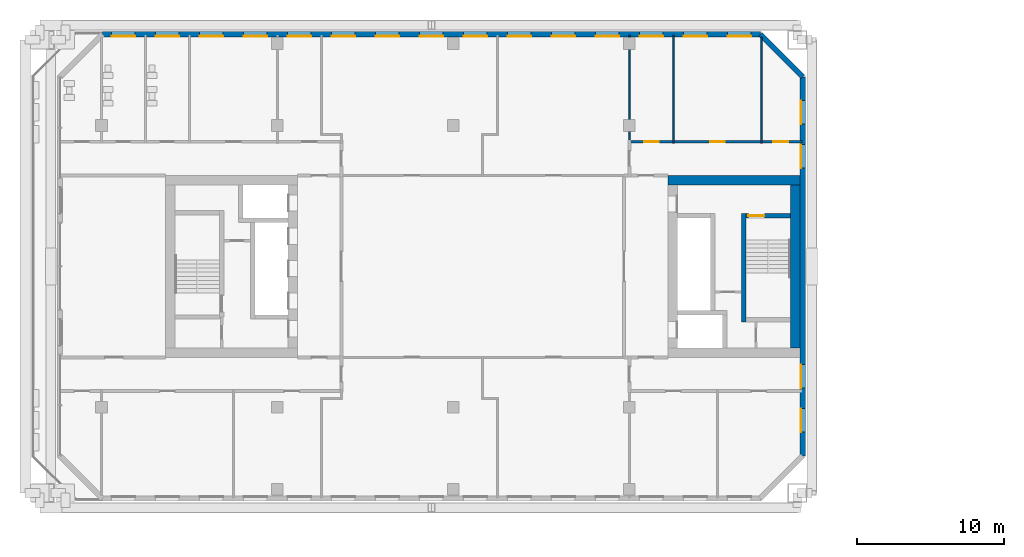
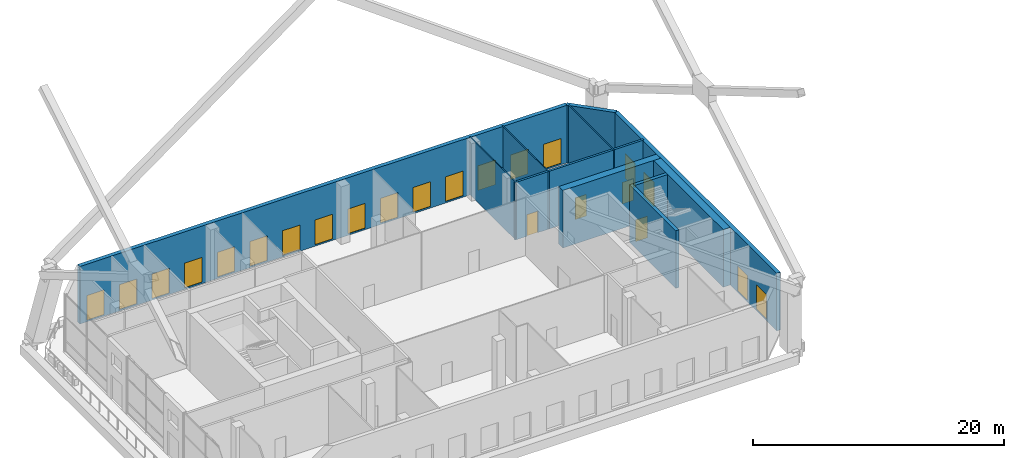
# One storey, part 12 of 20: 19 windows, 11 walls, 4 doors, 23 openings.
"""IFC4 building model written with IfcOpenShell, lengths in metres."""

from ifc_helpers import new_model, si_unit, direction, frame, frame_2d, origin, place, context, subcontext, project, spatial, rectangle, extrude, material, layer, layer_set, type_object, element, fill, save


model = new_model("IFC4")

# Units and contexts
model_context = context("Model", 3, precision=1e-05, world=origin(), true_north=direction((0.0, 1.0)))
body_context = subcontext(model_context, "Body", "Model", "MODEL_VIEW")
ifc_project = project(units=[si_unit("LENGTHUNIT", "METRE"), si_unit("AREAUNIT", "SQUARE_METRE"), si_unit("VOLUMEUNIT", "CUBIC_METRE"), si_unit("PLANEANGLEUNIT", "RADIAN"), si_unit("MASSUNIT", "GRAM", prefix="KILO")], contexts=[model_context])

# Site, building, storey
site_placement = place(None, origin())
site = spatial("IfcSite", under=ifc_project, at=site_placement, CompositionType="ELEMENT")
building_placement = place(site_placement, origin())
building = spatial("IfcBuilding", under=site, at=building_placement, Name="Tuart Gate Housing", CompositionType="ELEMENT")
storey_placement = place(building_placement, frame((0.0, 0.0, 90.199951171875)))
storey = spatial("IfcBuildingStorey", under=building, at=storey_placement, Name="L25", CompositionType="ELEMENT", Elevation=90.199951171875)

# Wall, openings, windows
ifc_material_1 = material(Name="Brick", Category="masonry")
ifc_layer_1 = layer(ifc_material_1, 0.360107421875)
ifc_layer_set_1 = layer_set([ifc_layer_1], Name="Brick pier and spandrel wall 360")
wall_type_1 = type_object("IfcWallType", Name="Brick pier and spandrel wall 360", PredefinedType="STANDARD", material=ifc_layer_set_1)
wall_1_placement = place(storey_placement, frame((75.820068359375, 57.07470703125, 0.0), z_axis=(0.0, 0.0, 1.0), x_axis=(0.0, 1.0, 0.0)))
wall_1 = element("IfcWall", 1, at=wall_1_placement, inside=storey, type_object=wall_type_1, Name="External wall A-E L25", PredefinedType="STANDARD", context=body_context, shape_type="SweptSolid", body=[
    extrude(rectangle(XDim=25.850830078125, YDim=0.360107421875, at=frame_2d((12.92529296875, 0.0))), origin(), (0.0, 0.0, 1.0), 5.60009765625),
])
opening_1_placement = place(wall_1_placement, frame((1.62548828125, 0.0, 0.14990234375)))
opening_1 = element("IfcOpeningElement", 2, at=opening_1_placement, cuts=wall_1, Name="Opening W2", PredefinedType="OPENING", context=body_context, shape_type="SweptSolid", body=[
    extrude(rectangle(XDim=1.60009765625, YDim=2.39990234375, at=frame_2d((0.800048828125, 1.199951171875))), frame((0.0, 0.18994140625, 0.0), z_axis=(0.0, -1.0, 0.0), x_axis=(1.0, 0.0, 0.0)), (0.0, 0.0, 1.0), 0.380126953125),
])
opening_2_placement = place(wall_1_placement, frame((4.62548828125, 0.0, 0.14990234375)))
opening_2 = element("IfcOpeningElement", 3, at=opening_2_placement, cuts=wall_1, Name="Opening W2", PredefinedType="OPENING", context=body_context, shape_type="SweptSolid", body=[
    extrude(rectangle(XDim=1.60009765625, YDim=2.39990234375, at=frame_2d((0.800048828125, 1.199951171875))), frame((0.0, 0.18994140625, 0.0), z_axis=(0.0, -1.0, 0.0), x_axis=(1.0, 0.0, 0.0)), (0.0, 0.0, 1.0), 0.380126953125),
])
opening_3_placement = place(wall_1_placement, frame((19.62548828125, 0.0, 0.14990234375)))
opening_3 = element("IfcOpeningElement", 4, at=opening_3_placement, cuts=wall_1, Name="Opening W2", PredefinedType="OPENING", context=body_context, shape_type="SweptSolid", body=[
    extrude(rectangle(XDim=1.60009765625, YDim=2.39990234375, at=frame_2d((0.800048828125, 1.199951171875))), frame((0.0, 0.18994140625, 0.0), z_axis=(0.0, -1.0, 0.0), x_axis=(1.0, 0.0, 0.0)), (0.0, 0.0, 1.0), 0.380126953125),
])
opening_4_placement = place(wall_1_placement, frame((22.62548828125, 0.0, 0.14990234375)))
opening_4 = element("IfcOpeningElement", 5, at=opening_4_placement, cuts=wall_1, Name="Opening W2", PredefinedType="OPENING", context=body_context, shape_type="SweptSolid", body=[
    extrude(rectangle(XDim=1.60009765625, YDim=2.39990234375, at=frame_2d((0.800048828125, 1.199951171875))), frame((0.0, 0.18994140625, 0.0), z_axis=(0.0, -1.0, 0.0), x_axis=(1.0, 0.0, 0.0)), (0.0, 0.0, 1.0), 0.380126953125),
])
ifc_material_2 = material(Name="Aluminium frame with clear glass", Category="aluminium")
window_type = type_object("IfcWindowType", Name="Garden lounge window 1600 x 2400", PartitioningType="SINGLE_PANEL", PredefinedType="WINDOW", material=ifc_material_2)
window_1_placement = place(opening_1_placement, origin())
window_1 = element("IfcWindow", 6, at=window_1_placement, inside=storey, type_object=window_type, Name="Window W2", OverallHeight=2.39990234375, OverallWidth=1.60009765625, PartitioningType="SINGLE_PANEL", PredefinedType="WINDOW", context=body_context, shape_type="SweptSolid", body=[
    extrude(rectangle(XDim=1.60009765625, YDim=2.39990234375, at=frame_2d((0.800048828125, 1.199951171875))), frame((0.0, 0.150146484375, 0.0), z_axis=(0.0, -1.0, 0.0), x_axis=(1.0, 0.0, 0.0)), (0.0, 0.0, 1.0), 0.06005859375),
])
fill(opening_1, window_1)
window_2_placement = place(opening_2_placement, origin())
window_2 = element("IfcWindow", 7, at=window_2_placement, inside=storey, type_object=window_type, Name="Window W2", OverallHeight=2.39990234375, OverallWidth=1.60009765625, PartitioningType="SINGLE_PANEL", PredefinedType="WINDOW", context=body_context, shape_type="SweptSolid", body=[
    extrude(rectangle(XDim=1.60009765625, YDim=2.39990234375, at=frame_2d((0.800048828125, 1.199951171875))), frame((0.0, 0.150146484375, 0.0), z_axis=(0.0, -1.0, 0.0), x_axis=(1.0, 0.0, 0.0)), (0.0, 0.0, 1.0), 0.06005859375),
])
fill(opening_2, window_2)
window_3_placement = place(opening_3_placement, origin())
window_3 = element("IfcWindow", 8, at=window_3_placement, inside=storey, type_object=window_type, Name="Window W2", OverallHeight=2.39990234375, OverallWidth=1.60009765625, PartitioningType="SINGLE_PANEL", PredefinedType="WINDOW", context=body_context, shape_type="SweptSolid", body=[
    extrude(rectangle(XDim=1.60009765625, YDim=2.39990234375, at=frame_2d((0.800048828125, 1.199951171875))), frame((0.0, 0.150146484375, 0.0), z_axis=(0.0, -1.0, 0.0), x_axis=(1.0, 0.0, 0.0)), (0.0, 0.0, 1.0), 0.06005859375),
])
fill(opening_3, window_3)
window_4_placement = place(opening_4_placement, origin())
window_4 = element("IfcWindow", 9, at=window_4_placement, inside=storey, type_object=window_type, Name="Window W2", OverallHeight=2.39990234375, OverallWidth=1.60009765625, PartitioningType="SINGLE_PANEL", PredefinedType="WINDOW", context=body_context, shape_type="SweptSolid", body=[
    extrude(rectangle(XDim=1.60009765625, YDim=2.39990234375, at=frame_2d((0.800048828125, 1.199951171875))), frame((0.0, 0.150146484375, 0.0), z_axis=(0.0, -1.0, 0.0), x_axis=(1.0, 0.0, 0.0)), (0.0, 0.0, 1.0), 0.06005859375),
])
fill(opening_4, window_4)

# Wall
wall_2_placement = place(storey_placement, frame((75.820068359375, 82.92529296875, 0.0), z_axis=(0.0, 0.0, 1.0), x_axis=(-0.707106781187, 0.707106781187, 0.0)))
element("IfcWall", 10, at=wall_2_placement, inside=storey, type_object=wall_type_1, Name="External wall A-NE L25", PredefinedType="STANDARD", context=body_context, shape_type="SweptSolid", body=[
    extrude(rectangle(XDim=4.09375, YDim=0.360107421875, at=frame_2d((2.046875, 0.0))), origin(), (0.0, 0.0, 1.0), 5.60009765625),
])

# Wall, openings, windows
wall_3_placement = place(storey_placement, frame((72.92529296875, 85.820068359375, 0.0), z_axis=(0.0, 0.0, 1.0), x_axis=(-1.0, 0.0, 0.0)))
wall_3 = element("IfcWall", 11, at=wall_3_placement, inside=storey, type_object=wall_type_1, Name="External wall A-N L25", PredefinedType="STANDARD", context=body_context, shape_type="SweptSolid", body=[
    extrude(rectangle(XDim=44.850830078125, YDim=0.360107421875, at=frame_2d((22.42529296875, 0.0))), origin(), (0.0, 0.0, 1.0), 5.60009765625),
])
opening_5_placement = place(wall_3_placement, frame((0.62548828125, 0.0, 0.14990234375)))
opening_5 = element("IfcOpeningElement", 12, at=opening_5_placement, cuts=wall_3, Name="Opening W2", PredefinedType="OPENING", context=body_context, shape_type="SweptSolid", body=[
    extrude(rectangle(XDim=1.60009765625, YDim=2.39990234375, at=frame_2d((0.800048828125, 1.199951171875))), frame((0.0, 0.18994140625, 0.0), z_axis=(0.0, -1.0, 0.0), x_axis=(1.0, 0.0, 0.0)), (0.0, 0.0, 1.0), 0.380126953125),
])
opening_6_placement = place(wall_3_placement, frame((3.62548828125, 0.0, 0.14990234375)))
opening_6 = element("IfcOpeningElement", 13, at=opening_6_placement, cuts=wall_3, Name="Opening W2", PredefinedType="OPENING", context=body_context, shape_type="SweptSolid", body=[
    extrude(rectangle(XDim=1.60009765625, YDim=2.39990234375, at=frame_2d((0.800048828125, 1.199951171875))), frame((0.0, 0.18994140625, 0.0), z_axis=(0.0, -1.0, 0.0), x_axis=(1.0, 0.0, 0.0)), (0.0, 0.0, 1.0), 0.380126953125),
])
opening_7_placement = place(wall_3_placement, frame((6.62548828125, 0.0, 0.14990234375)))
opening_7 = element("IfcOpeningElement", 14, at=opening_7_placement, cuts=wall_3, Name="Opening W2", PredefinedType="OPENING", context=body_context, shape_type="SweptSolid", body=[
    extrude(rectangle(XDim=1.60009765625, YDim=2.39990234375, at=frame_2d((0.800048828125, 1.199951171875))), frame((0.0, 0.18994140625, 0.0), z_axis=(0.0, -1.0, 0.0), x_axis=(1.0, 0.0, 0.0)), (0.0, 0.0, 1.0), 0.380126953125),
])
opening_8_placement = place(wall_3_placement, frame((9.62548828125, 0.0, 0.14990234375)))
opening_8 = element("IfcOpeningElement", 15, at=opening_8_placement, cuts=wall_3, Name="Opening W2", PredefinedType="OPENING", context=body_context, shape_type="SweptSolid", body=[
    extrude(rectangle(XDim=1.60009765625, YDim=2.39990234375, at=frame_2d((0.800048828125, 1.199951171875))), frame((0.0, 0.18994140625, 0.0), z_axis=(0.0, -1.0, 0.0), x_axis=(1.0, 0.0, 0.0)), (0.0, 0.0, 1.0), 0.380126953125),
])
opening_9_placement = place(wall_3_placement, frame((12.62548828125, 0.0, 0.14990234375)))
opening_9 = element("IfcOpeningElement", 16, at=opening_9_placement, cuts=wall_3, Name="Opening W2", PredefinedType="OPENING", context=body_context, shape_type="SweptSolid", body=[
    extrude(rectangle(XDim=1.60009765625, YDim=2.39990234375, at=frame_2d((0.800048828125, 1.199951171875))), frame((0.0, 0.18994140625, 0.0), z_axis=(0.0, -1.0, 0.0), x_axis=(1.0, 0.0, 0.0)), (0.0, 0.0, 1.0), 0.380126953125),
])
opening_10_placement = place(wall_3_placement, frame((15.62548828125, 0.0, 0.14990234375)))
opening_10 = element("IfcOpeningElement", 17, at=opening_10_placement, cuts=wall_3, Name="Opening W2", PredefinedType="OPENING", context=body_context, shape_type="SweptSolid", body=[
    extrude(rectangle(XDim=1.60009765625, YDim=2.39990234375, at=frame_2d((0.800048828125, 1.199951171875))), frame((0.0, 0.18994140625, 0.0), z_axis=(0.0, -1.0, 0.0), x_axis=(1.0, 0.0, 0.0)), (0.0, 0.0, 1.0), 0.380126953125),
])
opening_11_placement = place(wall_3_placement, frame((18.62548828125, 0.0, 0.14990234375)))
opening_11 = element("IfcOpeningElement", 18, at=opening_11_placement, cuts=wall_3, Name="Opening W2", PredefinedType="OPENING", context=body_context, shape_type="SweptSolid", body=[
    extrude(rectangle(XDim=1.60009765625, YDim=2.39990234375, at=frame_2d((0.800048828125, 1.199951171875))), frame((0.0, 0.18994140625, 0.0), z_axis=(0.0, -1.0, 0.0), x_axis=(1.0, 0.0, 0.0)), (0.0, 0.0, 1.0), 0.380126953125),
])
opening_12_placement = place(wall_3_placement, frame((21.62548828125, 0.0, 0.14990234375)))
opening_12 = element("IfcOpeningElement", 19, at=opening_12_placement, cuts=wall_3, Name="Opening W2", PredefinedType="OPENING", context=body_context, shape_type="SweptSolid", body=[
    extrude(rectangle(XDim=1.60009765625, YDim=2.39990234375, at=frame_2d((0.800048828125, 1.199951171875))), frame((0.0, 0.18994140625, 0.0), z_axis=(0.0, -1.0, 0.0), x_axis=(1.0, 0.0, 0.0)), (0.0, 0.0, 1.0), 0.380126953125),
])
opening_13_placement = place(wall_3_placement, frame((24.62548828125, 0.0, 0.14990234375)))
opening_13 = element("IfcOpeningElement", 20, at=opening_13_placement, cuts=wall_3, Name="Opening W2", PredefinedType="OPENING", context=body_context, shape_type="SweptSolid", body=[
    extrude(rectangle(XDim=1.60009765625, YDim=2.39990234375, at=frame_2d((0.800048828125, 1.199951171875))), frame((0.0, 0.18994140625, 0.0), z_axis=(0.0, -1.0, 0.0), x_axis=(1.0, 0.0, 0.0)), (0.0, 0.0, 1.0), 0.380126953125),
])
opening_14_placement = place(wall_3_placement, frame((27.62548828125, 0.0, 0.14990234375)))
opening_14 = element("IfcOpeningElement", 21, at=opening_14_placement, cuts=wall_3, Name="Opening W2", PredefinedType="OPENING", context=body_context, shape_type="SweptSolid", body=[
    extrude(rectangle(XDim=1.60009765625, YDim=2.39990234375, at=frame_2d((0.800048828125, 1.199951171875))), frame((0.0, 0.18994140625, 0.0), z_axis=(0.0, -1.0, 0.0), x_axis=(1.0, 0.0, 0.0)), (0.0, 0.0, 1.0), 0.380126953125),
])
opening_15_placement = place(wall_3_placement, frame((30.62548828125, 0.0, 0.14990234375)))
opening_15 = element("IfcOpeningElement", 22, at=opening_15_placement, cuts=wall_3, Name="Opening W2", PredefinedType="OPENING", context=body_context, shape_type="SweptSolid", body=[
    extrude(rectangle(XDim=1.60009765625, YDim=2.39990234375, at=frame_2d((0.800048828125, 1.199951171875))), frame((0.0, 0.18994140625, 0.0), z_axis=(0.0, -1.0, 0.0), x_axis=(1.0, 0.0, 0.0)), (0.0, 0.0, 1.0), 0.380126953125),
])
opening_16_placement = place(wall_3_placement, frame((33.62548828125, 0.0, 0.14990234375)))
opening_16 = element("IfcOpeningElement", 23, at=opening_16_placement, cuts=wall_3, Name="Opening W2", PredefinedType="OPENING", context=body_context, shape_type="SweptSolid", body=[
    extrude(rectangle(XDim=1.60009765625, YDim=2.39990234375, at=frame_2d((0.800048828125, 1.199951171875))), frame((0.0, 0.18994140625, 0.0), z_axis=(0.0, -1.0, 0.0), x_axis=(1.0, 0.0, 0.0)), (0.0, 0.0, 1.0), 0.380126953125),
])
opening_17_placement = place(wall_3_placement, frame((36.62548828125, 0.0, 0.14990234375)))
opening_17 = element("IfcOpeningElement", 24, at=opening_17_placement, cuts=wall_3, Name="Opening W2", PredefinedType="OPENING", context=body_context, shape_type="SweptSolid", body=[
    extrude(rectangle(XDim=1.60009765625, YDim=2.39990234375, at=frame_2d((0.800048828125, 1.199951171875))), frame((0.0, 0.18994140625, 0.0), z_axis=(0.0, -1.0, 0.0), x_axis=(1.0, 0.0, 0.0)), (0.0, 0.0, 1.0), 0.380126953125),
])
opening_18_placement = place(wall_3_placement, frame((39.62548828125, 0.0, 0.14990234375)))
opening_18 = element("IfcOpeningElement", 25, at=opening_18_placement, cuts=wall_3, Name="Opening W2", PredefinedType="OPENING", context=body_context, shape_type="SweptSolid", body=[
    extrude(rectangle(XDim=1.60009765625, YDim=2.39990234375, at=frame_2d((0.800048828125, 1.199951171875))), frame((0.0, 0.18994140625, 0.0), z_axis=(0.0, -1.0, 0.0), x_axis=(1.0, 0.0, 0.0)), (0.0, 0.0, 1.0), 0.380126953125),
])
opening_19_placement = place(wall_3_placement, frame((42.62548828125, 0.0, 0.14990234375)))
opening_19 = element("IfcOpeningElement", 26, at=opening_19_placement, cuts=wall_3, Name="Opening W2", PredefinedType="OPENING", context=body_context, shape_type="SweptSolid", body=[
    extrude(rectangle(XDim=1.60009765625, YDim=2.39990234375, at=frame_2d((0.800048828125, 1.199951171875))), frame((0.0, 0.18994140625, 0.0), z_axis=(0.0, -1.0, 0.0), x_axis=(1.0, 0.0, 0.0)), (0.0, 0.0, 1.0), 0.380126953125),
])
window_5_placement = place(opening_5_placement, origin())
window_5 = element("IfcWindow", 27, at=window_5_placement, inside=storey, type_object=window_type, Name="Window W2", OverallHeight=2.39990234375, OverallWidth=1.60009765625, PartitioningType="SINGLE_PANEL", PredefinedType="WINDOW", context=body_context, shape_type="SweptSolid", body=[
    extrude(rectangle(XDim=1.60009765625, YDim=2.39990234375, at=frame_2d((0.800048828125, 1.199951171875))), frame((0.0, 0.150146484375, 0.0), z_axis=(0.0, -1.0, 0.0), x_axis=(1.0, 0.0, 0.0)), (0.0, 0.0, 1.0), 0.06005859375),
])
fill(opening_5, window_5)
window_6_placement = place(opening_6_placement, origin())
window_6 = element("IfcWindow", 28, at=window_6_placement, inside=storey, type_object=window_type, Name="Window W2", OverallHeight=2.39990234375, OverallWidth=1.60009765625, PartitioningType="SINGLE_PANEL", PredefinedType="WINDOW", context=body_context, shape_type="SweptSolid", body=[
    extrude(rectangle(XDim=1.60009765625, YDim=2.39990234375, at=frame_2d((0.800048828125, 1.199951171875))), frame((0.0, 0.150146484375, 0.0), z_axis=(0.0, -1.0, 0.0), x_axis=(1.0, 0.0, 0.0)), (0.0, 0.0, 1.0), 0.06005859375),
])
fill(opening_6, window_6)
window_7_placement = place(opening_7_placement, origin())
window_7 = element("IfcWindow", 29, at=window_7_placement, inside=storey, type_object=window_type, Name="Window W2", OverallHeight=2.39990234375, OverallWidth=1.60009765625, PartitioningType="SINGLE_PANEL", PredefinedType="WINDOW", context=body_context, shape_type="SweptSolid", body=[
    extrude(rectangle(XDim=1.60009765625, YDim=2.39990234375, at=frame_2d((0.800048828125, 1.199951171875))), frame((0.0, 0.150146484375, 0.0), z_axis=(0.0, -1.0, 0.0), x_axis=(1.0, 0.0, 0.0)), (0.0, 0.0, 1.0), 0.06005859375),
])
fill(opening_7, window_7)
window_8_placement = place(opening_8_placement, origin())
window_8 = element("IfcWindow", 30, at=window_8_placement, inside=storey, type_object=window_type, Name="Window W2", OverallHeight=2.39990234375, OverallWidth=1.60009765625, PartitioningType="SINGLE_PANEL", PredefinedType="WINDOW", context=body_context, shape_type="SweptSolid", body=[
    extrude(rectangle(XDim=1.60009765625, YDim=2.39990234375, at=frame_2d((0.800048828125, 1.199951171875))), frame((0.0, 0.150146484375, 0.0), z_axis=(0.0, -1.0, 0.0), x_axis=(1.0, 0.0, 0.0)), (0.0, 0.0, 1.0), 0.06005859375),
])
fill(opening_8, window_8)
window_9_placement = place(opening_9_placement, origin())
window_9 = element("IfcWindow", 31, at=window_9_placement, inside=storey, type_object=window_type, Name="Window W2", OverallHeight=2.39990234375, OverallWidth=1.60009765625, PartitioningType="SINGLE_PANEL", PredefinedType="WINDOW", context=body_context, shape_type="SweptSolid", body=[
    extrude(rectangle(XDim=1.60009765625, YDim=2.39990234375, at=frame_2d((0.800048828125, 1.199951171875))), frame((0.0, 0.150146484375, 0.0), z_axis=(0.0, -1.0, 0.0), x_axis=(1.0, 0.0, 0.0)), (0.0, 0.0, 1.0), 0.06005859375),
])
fill(opening_9, window_9)
window_10_placement = place(opening_10_placement, origin())
window_10 = element("IfcWindow", 32, at=window_10_placement, inside=storey, type_object=window_type, Name="Window W2", OverallHeight=2.39990234375, OverallWidth=1.60009765625, PartitioningType="SINGLE_PANEL", PredefinedType="WINDOW", context=body_context, shape_type="SweptSolid", body=[
    extrude(rectangle(XDim=1.60009765625, YDim=2.39990234375, at=frame_2d((0.800048828125, 1.199951171875))), frame((0.0, 0.150146484375, 0.0), z_axis=(0.0, -1.0, 0.0), x_axis=(1.0, 0.0, 0.0)), (0.0, 0.0, 1.0), 0.06005859375),
])
fill(opening_10, window_10)
window_11_placement = place(opening_11_placement, origin())
window_11 = element("IfcWindow", 33, at=window_11_placement, inside=storey, type_object=window_type, Name="Window W2", OverallHeight=2.39990234375, OverallWidth=1.60009765625, PartitioningType="SINGLE_PANEL", PredefinedType="WINDOW", context=body_context, shape_type="SweptSolid", body=[
    extrude(rectangle(XDim=1.60009765625, YDim=2.39990234375, at=frame_2d((0.800048828125, 1.199951171875))), frame((0.0, 0.150146484375, 0.0), z_axis=(0.0, -1.0, 0.0), x_axis=(1.0, 0.0, 0.0)), (0.0, 0.0, 1.0), 0.06005859375),
])
fill(opening_11, window_11)
window_12_placement = place(opening_12_placement, origin())
window_12 = element("IfcWindow", 34, at=window_12_placement, inside=storey, type_object=window_type, Name="Window W2", OverallHeight=2.39990234375, OverallWidth=1.60009765625, PartitioningType="SINGLE_PANEL", PredefinedType="WINDOW", context=body_context, shape_type="SweptSolid", body=[
    extrude(rectangle(XDim=1.60009765625, YDim=2.39990234375, at=frame_2d((0.800048828125, 1.199951171875))), frame((0.0, 0.150146484375, 0.0), z_axis=(0.0, -1.0, 0.0), x_axis=(1.0, 0.0, 0.0)), (0.0, 0.0, 1.0), 0.06005859375),
])
fill(opening_12, window_12)
window_13_placement = place(opening_13_placement, origin())
window_13 = element("IfcWindow", 35, at=window_13_placement, inside=storey, type_object=window_type, Name="Window W2", OverallHeight=2.39990234375, OverallWidth=1.60009765625, PartitioningType="SINGLE_PANEL", PredefinedType="WINDOW", context=body_context, shape_type="SweptSolid", body=[
    extrude(rectangle(XDim=1.60009765625, YDim=2.39990234375, at=frame_2d((0.800048828125, 1.199951171875))), frame((0.0, 0.150146484375, 0.0), z_axis=(0.0, -1.0, 0.0), x_axis=(1.0, 0.0, 0.0)), (0.0, 0.0, 1.0), 0.06005859375),
])
fill(opening_13, window_13)
window_14_placement = place(opening_14_placement, origin())
window_14 = element("IfcWindow", 36, at=window_14_placement, inside=storey, type_object=window_type, Name="Window W2", OverallHeight=2.39990234375, OverallWidth=1.60009765625, PartitioningType="SINGLE_PANEL", PredefinedType="WINDOW", context=body_context, shape_type="SweptSolid", body=[
    extrude(rectangle(XDim=1.60009765625, YDim=2.39990234375, at=frame_2d((0.800048828125, 1.199951171875))), frame((0.0, 0.150146484375, 0.0), z_axis=(0.0, -1.0, 0.0), x_axis=(1.0, 0.0, 0.0)), (0.0, 0.0, 1.0), 0.06005859375),
])
fill(opening_14, window_14)
window_15_placement = place(opening_15_placement, origin())
window_15 = element("IfcWindow", 37, at=window_15_placement, inside=storey, type_object=window_type, Name="Window W2", OverallHeight=2.39990234375, OverallWidth=1.60009765625, PartitioningType="SINGLE_PANEL", PredefinedType="WINDOW", context=body_context, shape_type="SweptSolid", body=[
    extrude(rectangle(XDim=1.60009765625, YDim=2.39990234375, at=frame_2d((0.800048828125, 1.199951171875))), frame((0.0, 0.150146484375, 0.0), z_axis=(0.0, -1.0, 0.0), x_axis=(1.0, 0.0, 0.0)), (0.0, 0.0, 1.0), 0.06005859375),
])
fill(opening_15, window_15)
window_16_placement = place(opening_16_placement, origin())
window_16 = element("IfcWindow", 38, at=window_16_placement, inside=storey, type_object=window_type, Name="Window W2", OverallHeight=2.39990234375, OverallWidth=1.60009765625, PartitioningType="SINGLE_PANEL", PredefinedType="WINDOW", context=body_context, shape_type="SweptSolid", body=[
    extrude(rectangle(XDim=1.60009765625, YDim=2.39990234375, at=frame_2d((0.800048828125, 1.199951171875))), frame((0.0, 0.150146484375, 0.0), z_axis=(0.0, -1.0, 0.0), x_axis=(1.0, 0.0, 0.0)), (0.0, 0.0, 1.0), 0.06005859375),
])
fill(opening_16, window_16)
window_17_placement = place(opening_17_placement, origin())
window_17 = element("IfcWindow", 39, at=window_17_placement, inside=storey, type_object=window_type, Name="Window W2", OverallHeight=2.39990234375, OverallWidth=1.60009765625, PartitioningType="SINGLE_PANEL", PredefinedType="WINDOW", context=body_context, shape_type="SweptSolid", body=[
    extrude(rectangle(XDim=1.60009765625, YDim=2.39990234375, at=frame_2d((0.800048828125, 1.199951171875))), frame((0.0, 0.150146484375, 0.0), z_axis=(0.0, -1.0, 0.0), x_axis=(1.0, 0.0, 0.0)), (0.0, 0.0, 1.0), 0.06005859375),
])
fill(opening_17, window_17)
window_18_placement = place(opening_18_placement, origin())
window_18 = element("IfcWindow", 40, at=window_18_placement, inside=storey, type_object=window_type, Name="Window W2", OverallHeight=2.39990234375, OverallWidth=1.60009765625, PartitioningType="SINGLE_PANEL", PredefinedType="WINDOW", context=body_context, shape_type="SweptSolid", body=[
    extrude(rectangle(XDim=1.60009765625, YDim=2.39990234375, at=frame_2d((0.800048828125, 1.199951171875))), frame((0.0, 0.150146484375, 0.0), z_axis=(0.0, -1.0, 0.0), x_axis=(1.0, 0.0, 0.0)), (0.0, 0.0, 1.0), 0.06005859375),
])
fill(opening_18, window_18)
window_19_placement = place(opening_19_placement, origin())
window_19 = element("IfcWindow", 41, at=window_19_placement, inside=storey, type_object=window_type, Name="Window W2", OverallHeight=2.39990234375, OverallWidth=1.60009765625, PartitioningType="SINGLE_PANEL", PredefinedType="WINDOW", context=body_context, shape_type="SweptSolid", body=[
    extrude(rectangle(XDim=1.60009765625, YDim=2.39990234375, at=frame_2d((0.800048828125, 1.199951171875))), frame((0.0, 0.150146484375, 0.0), z_axis=(0.0, -1.0, 0.0), x_axis=(1.0, 0.0, 0.0)), (0.0, 0.0, 1.0), 0.06005859375),
])
fill(opening_19, window_19)

# Wall, opening, door
ifc_material_3 = material(Name="Concrete C50", Category="concrete")
ifc_layer_2 = layer(ifc_material_3, 0.300048828125)
ifc_layer_set_2 = layer_set([ifc_layer_2], Name="Core wall 300 C50")
wall_type_2 = type_object("IfcWallType", Name="Core wall 300 C50", PredefinedType="SHEAR", material=ifc_layer_set_2)
wall_4_placement = place(storey_placement, frame((71.93994140625, 73.449951171875, 0.0), z_axis=(0.0, 0.0, 1.0), x_axis=(1.0, 0.0, 0.0)))
wall_4 = element("IfcWall", 42, at=wall_4_placement, inside=storey, type_object=wall_type_2, Name="Core wall AG.5", PredefinedType="SHEAR", context=body_context, shape_type="SweptSolid", body=[
    extrude(rectangle(XDim=3.050048828125, YDim=0.300048828125, at=frame_2d((1.52490234375, 0.0))), origin(), (0.0, 0.0, 1.0), 5.60009765625),
])
opening_20_placement = place(wall_4_placement, frame((0.169921875, 0.0, 0.0)))
opening_20 = element("IfcOpeningElement", 43, at=opening_20_placement, cuts=wall_4, Name="Opening D2869", PredefinedType="OPENING", context=body_context, shape_type="SweptSolid", body=[
    extrude(rectangle(XDim=1.10009765625, YDim=2.10009765625, at=frame_2d((0.550048828125, 1.050048828125))), frame((0.0, 0.159912109375, 0.0), z_axis=(0.0, -1.0, 0.0), x_axis=(1.0, 0.0, 0.0)), (0.0, 0.0, 1.0), 0.320068359375),
])
ifc_material_4 = material(Name="Steel fire door", Category="steel")
door_type_1 = type_object("IfcDoorType", Name="Stair door 1100 x 2100 RH", OperationType="SINGLE_SWING_RIGHT", PredefinedType="DOOR", material=ifc_material_4)
door_1_placement = place(opening_20_placement, frame((1.10009765625, 0.0, 0.0), z_axis=(0.0, 0.0, 1.0), x_axis=(-1.0, 0.0, 0.0)))
door_1 = element("IfcDoor", 44, at=door_1_placement, inside=storey, type_object=door_type_1, Name="Stair door AG.SD", OperationType="SINGLE_SWING_RIGHT", OverallHeight=2.10009765625, OverallWidth=1.10009765625, PredefinedType="DOOR", context=body_context, shape_type="SweptSolid", body=[
    extrude(rectangle(XDim=1.10009765625, YDim=2.10009765625, at=frame_2d((0.550048828125, 1.050048828125))), frame((0.0, 0.025146484375, 0.0), z_axis=(0.0, -1.0, 0.0), x_axis=(1.0, 0.0, 0.0)), (0.0, 0.0, 1.0), 0.050048828125),
])
fill(opening_20, door_1)

# Walls
wall_5_placement = place(storey_placement, frame((71.7900390625, 66.199951171875, 0.0), z_axis=(0.0, 0.0, 1.0), x_axis=(0.0, 1.0, 0.0)))
element("IfcWall", 45, at=wall_5_placement, inside=storey, type_object=wall_type_2, Name="Core wall AG.8", PredefinedType="SHEAR", context=body_context, shape_type="SweptSolid", body=[
    extrude(rectangle(XDim=7.400146484375, YDim=0.300048828125, at=frame_2d((3.7001953125, 0.0))), origin(), (0.0, 0.0, 1.0), 5.60009765625),
])
ifc_material_5 = material(Name="Concrete C50", Category="concrete")
ifc_layer_3 = layer(ifc_material_5, 0.64990234375)
ifc_layer_set_3 = layer_set([ifc_layer_3], Name="Core wall 650 C50")
wall_type_3 = type_object("IfcWallType", Name="Core wall 650 C50", PredefinedType="SHEAR", material=ifc_layer_set_3)
wall_6_placement = place(storey_placement, frame((75.31494140625, 64.449951171875, 0.0), z_axis=(0.0, 0.0, 1.0), x_axis=(0.0, 1.0, 0.0)))
element("IfcWall", 46, at=wall_6_placement, inside=storey, type_object=wall_type_3, Name="Core wall AG back", PredefinedType="SHEAR", context=body_context, shape_type="SweptSolid", body=[
    extrude(rectangle(XDim=11.10009765625, YDim=0.64990234375, at=frame_2d((5.550048828125, 0.0))), origin(), (0.0, 0.0, 1.0), 5.60009765625),
])
wall_7_placement = place(storey_placement, frame((66.639892578125, 75.875, 0.0), z_axis=(0.0, 0.0, 1.0), x_axis=(1.0, 0.0, 0.0)))
element("IfcWall", 47, at=wall_7_placement, inside=storey, type_object=wall_type_3, Name="Core wall AG north", PredefinedType="SHEAR", context=body_context, shape_type="SweptSolid", body=[
    extrude(rectangle(XDim=9.0, YDim=0.64990234375, at=frame_2d((4.5, 0.0))), origin(), (0.0, 0.0, 1.0), 5.60009765625),
])

# Wall, openings, doors
ifc_material_6 = material(Name="Concrete masonry 15 MPa", Category="masonry")
ifc_layer_4 = layer(ifc_material_6, 0.199951171875)
ifc_layer_set_4 = layer_set([ifc_layer_4], Name="Corridor wall masonry 200")
wall_type_4 = type_object("IfcWallType", Name="Corridor wall masonry 200", PredefinedType="PARTITIONING", material=ifc_layer_set_4)
wall_8_placement = place(storey_placement, frame((63.89990234375, 78.5, 0.0), z_axis=(0.0, 0.0, 1.0), x_axis=(1.0, 0.0, 0.0)))
wall_8 = element("IfcWall", 48, at=wall_8_placement, inside=storey, type_object=wall_type_4, Name="Corridor wall masonry 200", PredefinedType="PARTITIONING", context=body_context, shape_type="SweptSolid", body=[
    extrude(rectangle(XDim=11.860107421875, YDim=0.199951171875, at=frame_2d((5.93017578125, 0.0))), origin(), (0.0, 0.0, 1.0), 5.60009765625),
])
opening_21_placement = place(wall_8_placement, frame((1.10009765625, 0.0, 0.0)))
opening_21 = element("IfcOpeningElement", 49, at=opening_21_placement, cuts=wall_8, Name="Opening D2859", PredefinedType="OPENING", context=body_context, shape_type="SweptSolid", body=[
    extrude(rectangle(XDim=1.0, YDim=2.10009765625, at=frame_2d((0.5, 1.050048828125))), frame((0.0, 0.10986328125, 0.0), z_axis=(0.0, -1.0, 0.0), x_axis=(1.0, 0.0, 0.0)), (0.0, 0.0, 1.0), 0.219970703125),
])
opening_22_placement = place(wall_8_placement, frame((5.60009765625, 0.0, 0.0)))
opening_22 = element("IfcOpeningElement", 50, at=opening_22_placement, cuts=wall_8, Name="Opening D2860", PredefinedType="OPENING", context=body_context, shape_type="SweptSolid", body=[
    extrude(rectangle(XDim=1.0, YDim=2.10009765625, at=frame_2d((0.5, 1.050048828125))), frame((0.0, 0.10986328125, 0.0), z_axis=(0.0, -1.0, 0.0), x_axis=(1.0, 0.0, 0.0)), (0.0, 0.0, 1.0), 0.219970703125),
])
opening_23_placement = place(wall_8_placement, frame((9.919921875, 0.0, 0.0)))
opening_23 = element("IfcOpeningElement", 51, at=opening_23_placement, cuts=wall_8, Name="Opening D2861", PredefinedType="OPENING", context=body_context, shape_type="SweptSolid", body=[
    extrude(rectangle(XDim=1.0, YDim=2.10009765625, at=frame_2d((0.5, 1.050048828125))), frame((0.0, 0.10986328125, 0.0), z_axis=(0.0, -1.0, 0.0), x_axis=(1.0, 0.0, 0.0)), (0.0, 0.0, 1.0), 0.219970703125),
])
ifc_material_7 = material(Name="Timber door leaf in steel frame", Category="steel")
door_type_2 = type_object("IfcDoorType", Name="Fire door 1000", OperationType="SINGLE_SWING_LEFT", PredefinedType="DOOR", material=ifc_material_7)
door_2_placement = place(opening_21_placement, origin())
door_2 = element("IfcDoor", 52, at=door_2_placement, inside=storey, type_object=door_type_2, Name="Fire door 1000", OperationType="SINGLE_SWING_LEFT", OverallHeight=2.10009765625, OverallWidth=1.0, PredefinedType="DOOR", context=body_context, shape_type="SweptSolid", body=[
    extrude(rectangle(XDim=1.0, YDim=2.10009765625, at=frame_2d((0.5, 1.050048828125))), frame((0.0, 0.02490234375, 0.0), z_axis=(0.0, -1.0, 0.0), x_axis=(1.0, 0.0, 0.0)), (0.0, 0.0, 1.0), 0.050048828125),
])
fill(opening_21, door_2)
door_3_placement = place(opening_22_placement, origin())
door_3 = element("IfcDoor", 53, at=door_3_placement, inside=storey, type_object=door_type_2, Name="Fire door 1000", OperationType="SINGLE_SWING_LEFT", OverallHeight=2.10009765625, OverallWidth=1.0, PredefinedType="DOOR", context=body_context, shape_type="SweptSolid", body=[
    extrude(rectangle(XDim=1.0, YDim=2.10009765625, at=frame_2d((0.5, 1.050048828125))), frame((0.0, 0.02490234375, 0.0), z_axis=(0.0, -1.0, 0.0), x_axis=(1.0, 0.0, 0.0)), (0.0, 0.0, 1.0), 0.050048828125),
])
fill(opening_22, door_3)
door_4_placement = place(opening_23_placement, origin())
door_4 = element("IfcDoor", 54, at=door_4_placement, inside=storey, type_object=door_type_2, Name="Fire door 1000", OperationType="SINGLE_SWING_LEFT", OverallHeight=2.10009765625, OverallWidth=1.0, PredefinedType="DOOR", context=body_context, shape_type="SweptSolid", body=[
    extrude(rectangle(XDim=1.0, YDim=2.10009765625, at=frame_2d((0.5, 1.050048828125))), frame((0.0, 0.02490234375, 0.0), z_axis=(0.0, -1.0, 0.0), x_axis=(1.0, 0.0, 0.0)), (0.0, 0.0, 1.0), 0.050048828125),
])
fill(opening_23, door_4)

# Walls
ifc_material_8 = material(Name="Gypsum board on steel studs", Category="steel")
ifc_layer_5 = layer(ifc_material_8, 0.10009765625)
ifc_layer_set_5 = layer_set([ifc_layer_5], Name="Partition 100")
wall_type_5 = type_object("IfcWallType", Name="Partition 100", PredefinedType="PARTITIONING", material=ifc_layer_set_5)
wall_9_placement = place(storey_placement, frame((64.0, 78.39794921875, 0.0), z_axis=(0.0, 0.0, 1.0), x_axis=(0.0, 1.0, 0.0)))
element("IfcWall", 55, at=wall_9_placement, inside=storey, type_object=wall_type_5, Name="Partition 100", PredefinedType="PARTITIONING", context=body_context, shape_type="SweptSolid", body=[
    extrude(rectangle(XDim=7.362060546875, YDim=0.10009765625, at=frame_2d((3.68115234375, 0.0))), origin(), (0.0, 0.0, 1.0), 5.60009765625),
])
wall_10_placement = place(storey_placement, frame((67.0, 78.39990234375, 0.0), z_axis=(0.0, 0.0, 1.0), x_axis=(0.0, 1.0, 0.0)))
element("IfcWall", 56, at=wall_10_placement, inside=storey, type_object=wall_type_5, Name="Partition 100", PredefinedType="PARTITIONING", context=body_context, shape_type="SweptSolid", body=[
    extrude(rectangle(XDim=7.360107421875, YDim=0.10009765625, at=frame_2d((3.68017578125, 0.0))), origin(), (0.0, 0.0, 1.0), 5.60009765625),
])
wall_11_placement = place(storey_placement, frame((73.0, 78.39990234375, 0.0), z_axis=(0.0, 0.0, 1.0), x_axis=(0.0, 1.0, 0.0)))
element("IfcWall", 57, at=wall_11_placement, inside=storey, type_object=wall_type_5, Name="Partition 100", PredefinedType="PARTITIONING", context=body_context, shape_type="SweptSolid", body=[
    extrude(rectangle(XDim=7.211181640625, YDim=0.10009765625, at=frame_2d((3.60546875, 0.0))), origin(), (0.0, 0.0, 1.0), 5.60009765625),
])

save(model, "model.ifc")
